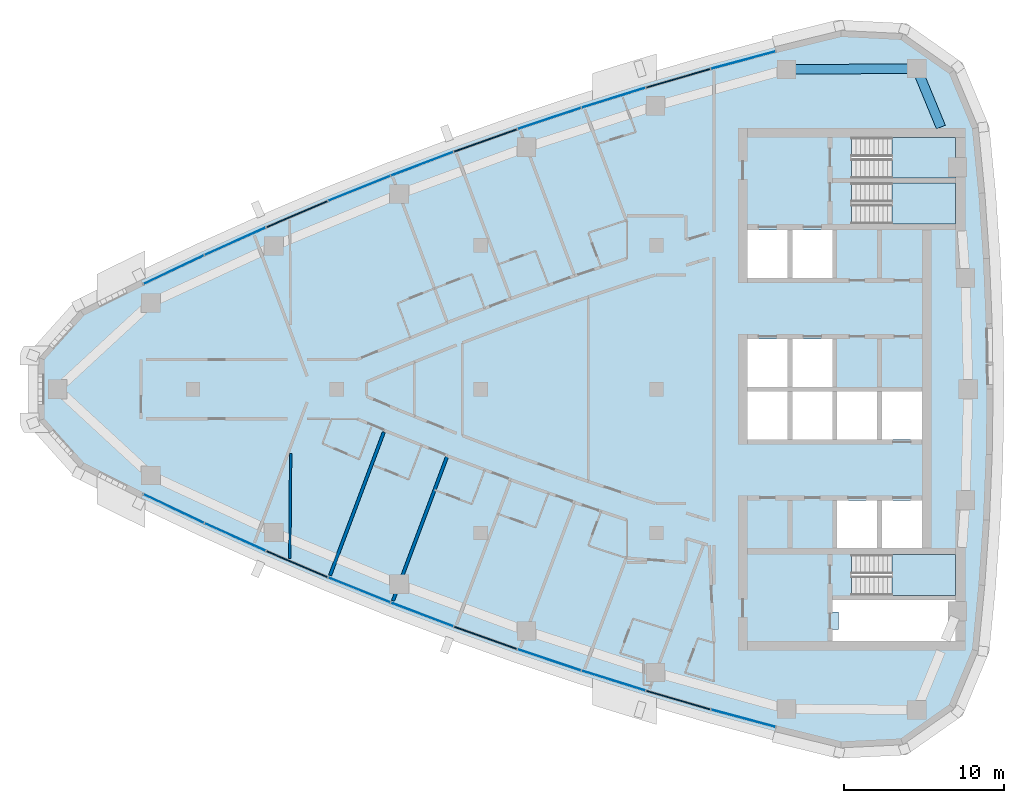
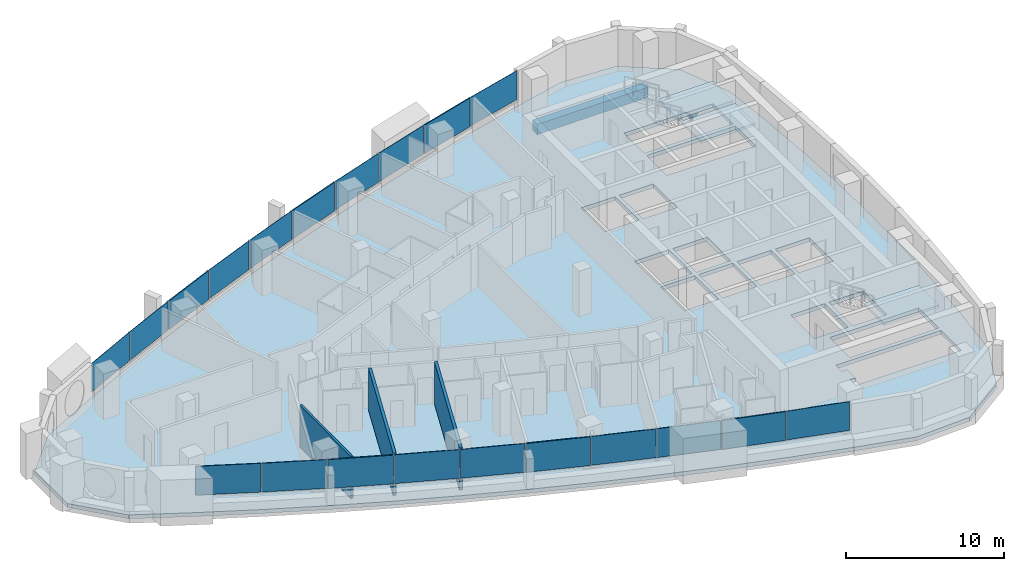
# One storey, part 7 of 16: 20 plates, 4 slabs, 3 walls, 2 beams, 1 opening, 13 elements without a shape of their own.
"""IFC4 building model written with IfcOpenShell, lengths in metres."""

from ifc_helpers import new_model, si_unit, direction, frame, frame_2d, origin, origin_2d, place, context, subcontext, project, spatial, polyline, rectangle, outline, extrude, material, layer, layer_set, material_profile, profile_set, type_object, element, aggregate, save


model = new_model("IFC4")

# Units and contexts
model_context = context("Model", 3, precision=1e-05, world=origin(), true_north=direction((0.0, 1.0)))
body_context = subcontext(model_context, "Body", "Model", "MODEL_VIEW")
ifc_project = project(units=[si_unit("LENGTHUNIT", "METRE"), si_unit("AREAUNIT", "SQUARE_METRE"), si_unit("VOLUMEUNIT", "CUBIC_METRE"), si_unit("PLANEANGLEUNIT", "RADIAN"), si_unit("MASSUNIT", "GRAM", prefix="KILO")], contexts=[model_context])

# Site, building, storey
site_placement = place(None, origin())
site = spatial("IfcSite", under=ifc_project, at=site_placement, CompositionType="ELEMENT")
building_placement = place(site_placement, origin())
building = spatial("IfcBuilding", under=site, at=building_placement, Name="Ostrand Prow Hotel Tower", CompositionType="ELEMENT")
storey_placement = place(building_placement, frame((0.0, 0.0, 249.199951171875)))
storey = spatial("IfcBuildingStorey", under=building, at=storey_placement, Name="L63", CompositionType="ELEMENT", Elevation=249.199951171875)

# Beams
ifc_material_1 = material(Name="Concrete C50/60", Category="concrete")
ifc_material_profile = material_profile(ifc_material_1, rectangle(XDim=0.60009765625, YDim=0.800048828125, at=origin_2d()), Name="RC 600x800")
ifc_profile_set = profile_set([ifc_material_profile], Name="Concrete C50/60")
beam_type = type_object("IfcBeamType", Name="Edge beam 600x800 C50/60", PredefinedType="SPANDREL", material=ifc_profile_set)
beam_1_placement = place(storey_placement, frame((62.7919921875, 16.39990234375, -0.699951171875), z_axis=(-0.380777709221, 0.924666608114, 0.0), x_axis=(-0.924666608114, -0.380777709221, 0.0)))
element("IfcBeam", 1, at=beam_1_placement, inside=storey, type_object=beam_type, Name="Edge beam B5-NE", PredefinedType="SPANDREL", context=body_context, shape_type="SweptSolid", body=[
    extrude(rectangle(XDim=0.60009765625, YDim=0.800048828125, at=origin_2d()), origin(), (0.0, 0.0, 1.0), 3.96044921875),
])
beam_2_placement = place(storey_placement, frame((61.283935546875, 20.06201171875, -0.699951171875), z_axis=(-0.999970657582, -0.007660546678, 0.0), x_axis=(0.007660546678, -0.999970657582, 0.0)))
element("IfcBeam", 2, at=beam_2_placement, inside=storey, type_object=beam_type, Name="Edge beam NE-N1", PredefinedType="SPANDREL", context=body_context, shape_type="SweptSolid", body=[
    extrude(rectangle(XDim=0.60009765625, YDim=0.800048828125, at=origin_2d()), origin(), (0.0, 0.0, 1.0), 8.15869140625),
])

# Curtain wall, plates
ifc_material_2 = material(Name="Insulated glass in bronze anodised frame", Category="glass")
ifc_layer_1 = layer(ifc_material_2, 0.199951171875)
ifc_layer_set_1 = layer_set([ifc_layer_1], Name="Insulated glass in bronze anodised frame")
curtain_wall_type = type_object("IfcCurtainWallType", Name="Strip curtain wall, fritted glass over bronze spandrel", PredefinedType="NOTDEFINED", material=ifc_layer_set_1)
curtain_wall_1_placement = place(storey_placement, origin())
curtain_wall_1 = element("IfcCurtainWall", 3, at=curtain_wall_1_placement, inside=storey, type_object=curtain_wall_type, Name="CW1 run CWS1", PredefinedType="NOTDEFINED")
ifc_material_3 = material(Name="Ceramic-fritted glass", Category="glass")
ifc_layer_2 = layer(ifc_material_3, 0.031982421875)
ifc_layer_set_2 = layer_set([ifc_layer_2], Name="Ceramic-fritted glass")
plate_type_1 = type_object("IfcPlateType", Name="Dot-fritted ceramic glass unit 32 mm", PredefinedType="CURTAIN_PANEL", material=ifc_layer_set_2)
plate_1_placement = place(storey_placement, frame((14.801025390625, -7.4765625, 1.02001953125), z_axis=(0.0, 0.0, 1.0), x_axis=(0.903370475577, -0.428861030937, 0.0)))
plate_1 = element("IfcPlate", 4, at=plate_1_placement, type_object=plate_type_1, Name="CW1 PN-D panel 1.2", PredefinedType="CURTAIN_PANEL", context=body_context, shape_type="SweptSolid", body=[
    extrude(rectangle(XDim=4.163818359375, YDim=0.031982421875, at=origin_2d()), origin(), (0.0, 0.0, 1.0), 2.22998046875),
])
plate_2_placement = place(storey_placement, frame((18.634521484375, -9.249267578125, 1.02001953125), z_axis=(0.0, 0.0, 1.0), x_axis=(0.911823681514, -0.41058199404, 0.0)))
plate_2 = element("IfcPlate", 5, at=plate_2_placement, type_object=plate_type_1, Name="CW1 PN-D panel 2.2", PredefinedType="CURTAIN_PANEL", context=body_context, shape_type="SweptSolid", body=[
    extrude(rectangle(XDim=4.163818359375, YDim=0.031982421875, at=origin_2d()), origin(), (0.0, 0.0, 1.0), 2.22998046875),
])
aggregate(curtain_wall_1, [plate_1, plate_2])

# Curtain wall, plate
curtain_wall_2_placement = place(storey_placement, origin())
curtain_wall_2 = element("IfcCurtainWall", 6, at=curtain_wall_2_placement, inside=storey, type_object=curtain_wall_type, Name="CW1 run CWS2", PredefinedType="NOTDEFINED")
plate_3_placement = place(storey_placement, frame((26.404541015625, -12.5615234375, 1.02001953125), z_axis=(0.0, 0.0, 1.0), x_axis=(0.927616710972, -0.373533449004, 0.0)))
plate_3 = element("IfcPlate", 7, at=plate_3_placement, type_object=plate_type_1, Name="CW1 PN-D panel 2.2", PredefinedType="CURTAIN_PANEL", context=body_context, shape_type="SweptSolid", body=[
    extrude(rectangle(XDim=4.163818359375, YDim=0.031982421875, at=origin_2d()), origin(), (0.0, 0.0, 1.0), 2.22998046875),
])

curtain_wall_3_placement = place(storey_placement, origin())
curtain_wall_3 = element("IfcCurtainWall", 8, at=curtain_wall_3_placement, inside=storey, type_object=curtain_wall_type, Name="CW1 run CWS3", PredefinedType="NOTDEFINED")
plate_4_placement = place(storey_placement, frame((30.337890625, -14.099609375, 1.02001953125), z_axis=(0.0, 0.0, 1.0), x_axis=(0.934950813567, -0.354777361469, 0.0)))
plate_4 = element("IfcPlate", 9, at=plate_4_placement, type_object=plate_type_1, Name="CW1 PN-D panel 1.2", PredefinedType="CURTAIN_PANEL", context=body_context, shape_type="SweptSolid", body=[
    extrude(rectangle(XDim=4.163818359375, YDim=0.031982421875, at=origin_2d()), origin(), (0.0, 0.0, 1.0), 2.22998046875),
])

# Curtain wall, plates
curtain_wall_4_placement = place(storey_placement, origin())
curtain_wall_4 = element("IfcCurtainWall", 10, at=curtain_wall_4_placement, inside=storey, type_object=curtain_wall_type, Name="CW1 run CWS4", PredefinedType="NOTDEFINED")
plate_5_placement = place(storey_placement, frame((38.2939453125, -16.9365234375, 1.02001953125), z_axis=(0.0, 0.0, 1.0), x_axis=(0.948478606268, -0.31684118017, 0.0)))
plate_5 = element("IfcPlate", 11, at=plate_5_placement, type_object=plate_type_1, Name="CW1 PN-D panel 1.2", PredefinedType="CURTAIN_PANEL", context=body_context, shape_type="SweptSolid", body=[
    extrude(rectangle(XDim=4.163818359375, YDim=0.031982421875, at=origin_2d()), origin(), (0.0, 0.0, 1.0), 2.22998046875),
])
plate_6_placement = place(storey_placement, frame((42.31298828125, -18.234375, 1.02001953125), z_axis=(0.0, 0.0, 1.0), x_axis=(0.95466629023, -0.297678138765, 0.0)))
plate_6 = element("IfcPlate", 12, at=plate_6_placement, type_object=plate_type_1, Name="CW1 PN-D panel 2.2", PredefinedType="CURTAIN_PANEL", context=body_context, shape_type="SweptSolid", body=[
    extrude(rectangle(XDim=4.163818359375, YDim=0.031982421875, at=origin_2d()), origin(), (0.0, 0.0, 1.0), 2.22998046875),
])
aggregate(curtain_wall_4, [plate_5, plate_6])

# Curtain wall, plate
curtain_wall_5_placement = place(storey_placement, origin())
curtain_wall_5 = element("IfcCurtainWall", 13, at=curtain_wall_5_placement, inside=storey, type_object=curtain_wall_type, Name="CW1 run CWS5", PredefinedType="NOTDEFINED")
plate_7_placement = place(storey_placement, frame((50.42578125, -20.5859375, 1.02001953125), z_axis=(0.0, 0.0, 1.0), x_axis=(0.965878831034, -0.258994370132, 0.0)))
plate_7 = element("IfcPlate", 14, at=plate_7_placement, type_object=plate_type_1, Name="CW1 PN-D panel 2.2", PredefinedType="CURTAIN_PANEL", context=body_context, shape_type="SweptSolid", body=[
    extrude(rectangle(XDim=4.163818359375, YDim=0.031982421875, at=origin_2d()), origin(), (0.0, 0.0, 1.0), 2.22998046875),
])

curtain_wall_6_placement = place(storey_placement, origin())
curtain_wall_6 = element("IfcCurtainWall", 15, at=curtain_wall_6_placement, inside=storey, type_object=curtain_wall_type, Name="CW1 run CWN1", PredefinedType="NOTDEFINED")
plate_8_placement = place(storey_placement, frame((50.42578125, 20.5859375, 1.02001953125), z_axis=(0.0, 0.0, 1.0), x_axis=(-0.965878831034, -0.258994370132, 0.0)))
plate_8 = element("IfcPlate", 16, at=plate_8_placement, type_object=plate_type_1, Name="CW1 PN-D panel 1.2", PredefinedType="CURTAIN_PANEL", context=body_context, shape_type="SweptSolid", body=[
    extrude(rectangle(XDim=4.163818359375, YDim=0.031982421875, at=origin_2d()), origin(), (0.0, 0.0, 1.0), 2.22998046875),
])

# Curtain wall, plates
curtain_wall_7_placement = place(storey_placement, origin())
curtain_wall_7 = element("IfcCurtainWall", 17, at=curtain_wall_7_placement, inside=storey, type_object=curtain_wall_type, Name="CW1 run CWN2", PredefinedType="NOTDEFINED")
plate_9_placement = place(storey_placement, frame((42.31298828125, 18.234375, 1.02001953125), z_axis=(0.0, 0.0, 1.0), x_axis=(-0.95466629023, -0.297678138765, 0.0)))
plate_9 = element("IfcPlate", 18, at=plate_9_placement, type_object=plate_type_1, Name="CW1 PN-D panel 1.2", PredefinedType="CURTAIN_PANEL", context=body_context, shape_type="SweptSolid", body=[
    extrude(rectangle(XDim=4.163818359375, YDim=0.031982421875, at=origin_2d()), origin(), (0.0, 0.0, 1.0), 2.22998046875),
])
plate_10_placement = place(storey_placement, frame((38.2939453125, 16.9365234375, 1.02001953125), z_axis=(0.0, 0.0, 1.0), x_axis=(-0.948478606268, -0.31684118017, 0.0)))
plate_10 = element("IfcPlate", 19, at=plate_10_placement, type_object=plate_type_1, Name="CW1 PN-D panel 2.2", PredefinedType="CURTAIN_PANEL", context=body_context, shape_type="SweptSolid", body=[
    extrude(rectangle(XDim=4.163818359375, YDim=0.031982421875, at=origin_2d()), origin(), (0.0, 0.0, 1.0), 2.22998046875),
])
aggregate(curtain_wall_7, [plate_9, plate_10])

# Curtain wall, plate
curtain_wall_8_placement = place(storey_placement, origin())
curtain_wall_8 = element("IfcCurtainWall", 20, at=curtain_wall_8_placement, inside=storey, type_object=curtain_wall_type, Name="CW1 run CWN3", PredefinedType="NOTDEFINED")
plate_11_placement = place(storey_placement, frame((30.337890625, 14.099609375, 1.02001953125), z_axis=(0.0, 0.0, 1.0), x_axis=(-0.934950813567, -0.354777361469, 0.0)))
plate_11 = element("IfcPlate", 21, at=plate_11_placement, type_object=plate_type_1, Name="CW1 PN-D panel 2.2", PredefinedType="CURTAIN_PANEL", context=body_context, shape_type="SweptSolid", body=[
    extrude(rectangle(XDim=4.163818359375, YDim=0.031982421875, at=origin_2d()), origin(), (0.0, 0.0, 1.0), 2.22998046875),
])

curtain_wall_9_placement = place(storey_placement, origin())
curtain_wall_9 = element("IfcCurtainWall", 22, at=curtain_wall_9_placement, inside=storey, type_object=curtain_wall_type, Name="CW1 run CWN4", PredefinedType="NOTDEFINED")
plate_12_placement = place(storey_placement, frame((26.404541015625, 12.5615234375, 1.02001953125), z_axis=(0.0, 0.0, 1.0), x_axis=(-0.927616710972, -0.373533449004, 0.0)))
plate_12 = element("IfcPlate", 23, at=plate_12_placement, type_object=plate_type_1, Name="CW1 PN-D panel 1.2", PredefinedType="CURTAIN_PANEL", context=body_context, shape_type="SweptSolid", body=[
    extrude(rectangle(XDim=4.163818359375, YDim=0.031982421875, at=origin_2d()), origin(), (0.0, 0.0, 1.0), 2.22998046875),
])

# Curtain wall, plates
curtain_wall_10_placement = place(storey_placement, origin())
curtain_wall_10 = element("IfcCurtainWall", 24, at=curtain_wall_10_placement, inside=storey, type_object=curtain_wall_type, Name="CW1 run CWN5", PredefinedType="NOTDEFINED")
plate_13_placement = place(storey_placement, frame((18.634521484375, 9.249267578125, 1.02001953125), z_axis=(0.0, 0.0, 1.0), x_axis=(-0.911823681514, -0.41058199404, 0.0)))
plate_13 = element("IfcPlate", 25, at=plate_13_placement, type_object=plate_type_1, Name="CW1 PN-D panel 1.2", PredefinedType="CURTAIN_PANEL", context=body_context, shape_type="SweptSolid", body=[
    extrude(rectangle(XDim=4.163818359375, YDim=0.031982421875, at=origin_2d()), origin(), (0.0, 0.0, 1.0), 2.22998046875),
])
plate_14_placement = place(storey_placement, frame((14.801025390625, 7.4765625, 1.02001953125), z_axis=(0.0, 0.0, 1.0), x_axis=(-0.903370475577, -0.428861030937, 0.0)))
plate_14 = element("IfcPlate", 26, at=plate_14_placement, type_object=plate_type_1, Name="CW1 PN-D panel 2.2", PredefinedType="CURTAIN_PANEL", context=body_context, shape_type="SweptSolid", body=[
    extrude(rectangle(XDim=4.163818359375, YDim=0.031982421875, at=origin_2d()), origin(), (0.0, 0.0, 1.0), 2.22998046875),
])
aggregate(curtain_wall_10, [plate_13, plate_14])

# Plate
ifc_material_4 = material(Name="Fritted glass in bronze vent frame", Category="glass")
ifc_layer_3 = layer(ifc_material_4, 0.080078125)
ifc_layer_set_3 = layer_set([ifc_layer_3], Name="Fritted glass in bronze vent frame")
plate_type_2 = type_object("IfcPlateType", Name="Operable vent panel 80 mm", PredefinedType="CURTAIN_PANEL", material=ifc_layer_set_3)
plate_15_placement = place(storey_placement, frame((22.502685546875, -10.944580078125, 1.02001953125), z_axis=(0.0, 0.0, 1.0), x_axis=(0.919907070112, -0.392136433347, 0.0)))
plate_15 = element("IfcPlate", 27, at=plate_15_placement, type_object=plate_type_2, Name="CW1 PN-O2 panel 1.2", PredefinedType="CURTAIN_PANEL", context=body_context, shape_type="SweptSolid", body=[
    extrude(rectangle(XDim=4.163818359375, YDim=0.080078125, at=origin_2d()), origin(), (0.0, 0.0, 1.0), 2.22998046875),
])

aggregate(curtain_wall_2, [plate_15, plate_3])

plate_16_placement = place(storey_placement, frame((34.3017578125, -15.55810546875, 1.02001953125), z_axis=(0.0, 0.0, 1.0), x_axis=(0.941905718922, -0.335877383374, 0.0)))
plate_16 = element("IfcPlate", 28, at=plate_16_placement, type_object=plate_type_2, Name="CW1 PN-O2 panel 2.2", PredefinedType="CURTAIN_PANEL", context=body_context, shape_type="SweptSolid", body=[
    extrude(rectangle(XDim=4.163818359375, YDim=0.080078125, at=origin_2d()), origin(), (0.0, 0.0, 1.0), 2.22998046875),
])

aggregate(curtain_wall_3, [plate_4, plate_16])

plate_17_placement = place(storey_placement, frame((46.357666015625, -19.450927734375, 1.02001953125), z_axis=(0.0, 0.0, 1.0), x_axis=(0.960467333745, -0.27839270969, 0.0)))
plate_17 = element("IfcPlate", 29, at=plate_17_placement, type_object=plate_type_2, Name="CW1 PN-O2 panel 1.2", PredefinedType="CURTAIN_PANEL", context=body_context, shape_type="SweptSolid", body=[
    extrude(rectangle(XDim=4.163818359375, YDim=0.080078125, at=origin_2d()), origin(), (0.0, 0.0, 1.0), 2.22998046875),
])

aggregate(curtain_wall_5, [plate_17, plate_7])

plate_18_placement = place(storey_placement, frame((46.357666015625, 19.450927734375, 1.02001953125), z_axis=(0.0, 0.0, 1.0), x_axis=(-0.960467333745, -0.27839270969, 0.0)))
plate_18 = element("IfcPlate", 30, at=plate_18_placement, type_object=plate_type_2, Name="CW1 PN-O2 panel 2.2", PredefinedType="CURTAIN_PANEL", context=body_context, shape_type="SweptSolid", body=[
    extrude(rectangle(XDim=4.163818359375, YDim=0.080078125, at=origin_2d()), origin(), (0.0, 0.0, 1.0), 2.22998046875),
])

aggregate(curtain_wall_6, [plate_8, plate_18])

plate_19_placement = place(storey_placement, frame((34.3017578125, 15.55810546875, 1.02001953125), z_axis=(0.0, 0.0, 1.0), x_axis=(-0.941905718922, -0.335877383374, 0.0)))
plate_19 = element("IfcPlate", 31, at=plate_19_placement, type_object=plate_type_2, Name="CW1 PN-O2 panel 1.2", PredefinedType="CURTAIN_PANEL", context=body_context, shape_type="SweptSolid", body=[
    extrude(rectangle(XDim=4.163818359375, YDim=0.080078125, at=origin_2d()), origin(), (0.0, 0.0, 1.0), 2.22998046875),
])

aggregate(curtain_wall_8, [plate_19, plate_11])

plate_20_placement = place(storey_placement, frame((22.502685546875, 10.944580078125, 1.02001953125), z_axis=(0.0, 0.0, 1.0), x_axis=(-0.919907070112, -0.392136433347, 0.0)))
plate_20 = element("IfcPlate", 32, at=plate_20_placement, type_object=plate_type_2, Name="CW1 PN-O2 panel 2.2", PredefinedType="CURTAIN_PANEL", context=body_context, shape_type="SweptSolid", body=[
    extrude(rectangle(XDim=4.163818359375, YDim=0.080078125, at=origin_2d()), origin(), (0.0, 0.0, 1.0), 2.22998046875),
])

aggregate(curtain_wall_9, [plate_12, plate_20])

# Slab, opening
ifc_material_5 = material(Name="Concrete C40/50", Category="concrete")
ifc_layer_4 = layer(ifc_material_5, 0.300048828125)
ifc_layer_set_4 = layer_set([ifc_layer_4], Name="Concrete C40/50")
slab_type_1 = type_object("IfcSlabType", Name="PT flat plate 300 C40/50", PredefinedType="FLOOR", material=ifc_layer_set_4)
slab_1_placement = place(storey_placement, frame((0.0, 0.0, -0.300048828125)))
slab_1 = element("IfcSlab", 33, at=slab_1_placement, inside=storey, type_object=slab_type_1, Name="Floor slab L63-1", PredefinedType="FLOOR", context=body_context, shape_type="SweptSolid", body=[
    extrude(outline(polyline([(8.85205078125, 5.097412109375), (12.679443359375, 7.009765625), (16.50390625, 8.825439453125), (20.364013671875, 10.563720703125), (24.258544921875, 12.223876953125), (28.185791015625, 13.80517578125), (32.143798828125, 15.30712890625), (36.131591796875, 16.72900390625), (40.14697265625, 18.0703125), (44.188720703125, 19.330810546875), (48.2548828125, 20.50927734375), (52.343994140625, 21.605712890625), (56.4873046875, 22.627685546875), (60.48193359375, 22.4287109375), (63.7822265625, 20.107177734375), (65.320068359375, 16.414794921875), (65.728515625, 12.29736328125), (66.018310546875, 8.20361328125), (66.19189453125, 4.103515625), (66.25, 0.0), (66.19189453125, -4.103515625), (66.018310546875, -8.20361328125), (65.728515625, -12.29736328125), (65.320068359375, -16.414794921875), (63.7822265625, -20.107177734375), (60.48193359375, -22.4287109375), (56.4873046875, -22.627685546875), (52.343994140625, -21.605712890625), (48.2548828125, -20.50927734375), (44.188720703125, -19.330810546875), (40.14697265625, -18.0703125), (36.131591796875, -16.72900390625), (32.143798828125, -15.30712890625), (28.185791015625, -13.80517578125), (24.258544921875, -12.223876953125), (20.364013671875, -10.563720703125), (16.50390625, -8.825439453125), (12.679443359375, -7.009765625), (8.85205078125, -5.097412109375), (6.127685546875, -2.06298828125), (6.127685546875, 2.06298828125), (8.85205078125, 5.097412109375)]), holes=[polyline([(50.699951171875, 6.949951171875), (53.199951171875, 6.949951171875), (53.199951171875, 9.949951171875), (50.699951171875, 9.949951171875), (50.699951171875, 6.949951171875)]), polyline([(53.5, 6.949951171875), (56.0, 6.949951171875), (56.0, 9.949951171875), (53.5, 9.949951171875), (53.5, 6.949951171875)]), polyline([(50.699951171875, 0.14990234375), (53.199951171875, 0.14990234375), (53.199951171875, 3.14990234375), (50.699951171875, 3.14990234375), (50.699951171875, 0.14990234375)]), polyline([(53.5, 0.14990234375), (56.0, 0.14990234375), (56.0, 3.14990234375), (53.5, 3.14990234375), (53.5, 0.14990234375)]), polyline([(50.699951171875, -3.14990234375), (53.199951171875, -3.14990234375), (53.199951171875, -0.14990234375), (50.699951171875, -0.14990234375), (50.699951171875, -3.14990234375)]), polyline([(53.5, -3.14990234375), (56.0, -3.14990234375), (56.0, -0.14990234375), (53.5, -0.14990234375), (53.5, -3.14990234375)]), polyline([(56.300048828125, -3.14990234375), (58.800048828125, -3.14990234375), (58.800048828125, -0.14990234375), (56.300048828125, -0.14990234375), (56.300048828125, -3.14990234375)]), polyline([(59.10009765625, -3.14990234375), (61.60009765625, -3.14990234375), (61.60009765625, -0.14990234375), (59.10009765625, -0.14990234375), (59.10009765625, -3.14990234375)]), polyline([(56.300048828125, -9.949951171875), (58.800048828125, -9.949951171875), (58.800048828125, -6.949951171875), (56.300048828125, -6.949951171875), (56.300048828125, -9.949951171875)]), polyline([(59.10009765625, -9.949951171875), (61.60009765625, -9.949951171875), (61.60009765625, -6.949951171875), (59.10009765625, -6.949951171875), (59.10009765625, -9.949951171875)]), polyline([(57.200927734375, 10.35107421875), (57.200927734375, 12.89892578125), (63.718994140625, 12.89892578125), (63.718994140625, 10.35107421875), (57.200927734375, 10.35107421875)]), polyline([(57.200927734375, 13.200927734375), (57.200927734375, 15.7490234375), (63.718994140625, 15.7490234375), (63.718994140625, 13.200927734375), (57.200927734375, 13.200927734375)]), polyline([(57.200927734375, -12.89892578125), (57.200927734375, -10.35107421875), (63.718994140625, -10.35107421875), (63.718994140625, -12.89892578125), (57.200927734375, -12.89892578125)]), polyline([(56.0, -13.949951171875), (56.0, -13.199951171875), (63.719970703125, -13.199951171875), (63.719970703125, -15.75), (56.0, -15.75), (56.0, -15.050048828125), (56.39990234375, -15.050048828125), (56.39990234375, -13.949951171875), (56.0, -13.949951171875)])]), origin(), (0.0, 0.0, 1.0), 0.300048828125),
])
opening_placement = place(slab_1_placement, origin())
element("IfcOpeningElement", 34, at=opening_placement, cuts=slab_1, Name="Shaft opening 1", PredefinedType="OPENING", context=body_context, shape_type="SweptSolid", body=[
    extrude(outline(polyline([(56.0, -13.949951171875), (56.0, -13.199951171875), (63.719970703125, -13.199951171875), (63.719970703125, -15.75), (56.0, -15.75), (56.0, -15.050048828125), (56.39990234375, -15.050048828125), (56.39990234375, -13.949951171875), (56.0, -13.949951171875)])), origin(), (0.0, 0.0, 1.0), 0.300048828125),
])

# Stair, slab
ifc_material_6 = material(Name="Concrete C40/50", Category="concrete")
stair_type = type_object("IfcStairType", Name="Exit stair 1200 upper zone", PredefinedType="HALF_TURN_STAIR", material=ifc_material_6)
stair_1_placement = place(storey_placement, origin())
stair_1 = element("IfcStair", 35, at=stair_1_placement, inside=storey, type_object=stair_type, Name="L63 ST1C", PredefinedType="HALF_TURN_STAIR")
ifc_material_7 = material(Name="Concrete C40/50", Category="concrete")
ifc_layer_5 = layer(ifc_material_7, 0.199951171875)
ifc_layer_set_5 = layer_set([ifc_layer_5], Name="Concrete C40/50")
slab_type_2 = type_object("IfcSlabType", Name="Stair landing 200 concrete", PredefinedType="LANDING", material=ifc_layer_set_5)
slab_2_placement = place(storey_placement, frame((0.0, 0.0, 1.574951171875)))
slab_2 = element("IfcSlab", 36, at=slab_2_placement, type_object=slab_type_2, Name="ST1C landing 1", PredefinedType="LANDING", context=body_context, shape_type="SweptSolid", body=[
    extrude(outline(polyline([(59.719970703125, 10.35009765625), (63.719970703125, 10.35009765625), (63.719970703125, 12.89990234375), (59.719970703125, 12.89990234375), (59.719970703125, 10.35009765625)])), origin(), (0.0, 0.0, 1.0), 0.2001953125),
])
aggregate(stair_1, [slab_2])

stair_2_placement = place(storey_placement, origin())
stair_2 = element("IfcStair", 37, at=stair_2_placement, inside=storey, type_object=stair_type, Name="L63 ST3C", PredefinedType="HALF_TURN_STAIR")
slab_3_placement = place(storey_placement, frame((0.0, 0.0, 1.574951171875)))
slab_3 = element("IfcSlab", 38, at=slab_3_placement, type_object=slab_type_2, Name="ST3C landing 1", PredefinedType="LANDING", context=body_context, shape_type="SweptSolid", body=[
    extrude(outline(polyline([(59.719970703125, 13.199951171875), (63.719970703125, 13.199951171875), (63.719970703125, 15.75), (59.719970703125, 15.75), (59.719970703125, 13.199951171875)])), origin(), (0.0, 0.0, 1.0), 0.2001953125),
])
aggregate(stair_2, [slab_3])

stair_3_placement = place(storey_placement, origin())
stair_3 = element("IfcStair", 39, at=stair_3_placement, inside=storey, type_object=stair_type, Name="L63 ST2C", PredefinedType="HALF_TURN_STAIR")
slab_4_placement = place(storey_placement, frame((0.0, 0.0, 1.574951171875)))
slab_4 = element("IfcSlab", 40, at=slab_4_placement, type_object=slab_type_2, Name="ST2C landing 1", PredefinedType="LANDING", context=body_context, shape_type="SweptSolid", body=[
    extrude(outline(polyline([(59.719970703125, -12.89990234375), (63.719970703125, -12.89990234375), (63.719970703125, -10.35009765625), (59.719970703125, -10.35009765625), (59.719970703125, -12.89990234375)])), origin(), (0.0, 0.0, 1.0), 0.2001953125),
])
aggregate(stair_3, [slab_4])

# Walls
ifc_material_8 = material(Name="Plasterboard partition")
ifc_layer_6 = layer(ifc_material_8, 0.14990234375)
ifc_layer_set_6 = layer_set([ifc_layer_6], Name="Plasterboard partition")
wall_type_1 = type_object("IfcWallType", Name="Partition 150 room partition", PredefinedType="PARTITIONING", material=ifc_layer_set_6)
wall_1_placement = place(storey_placement, frame((22.1123046875, -4.022705078125, 0.0), z_axis=(0.0, 0.0, 1.0), x_axis=(-0.008379594055, -0.999964890585, 0.0)))
element("IfcWall", 41, at=wall_1_placement, inside=storey, type_object=wall_type_1, Name="ROOM PARTITION", PredefinedType="PARTITIONING", context=body_context, shape_type="SweptSolid", body=[
    extrude(rectangle(XDim=6.555419921875, YDim=0.14990234375, at=frame_2d((3.27783203125, 0.0))), origin(), (0.0, 0.0, 1.0), 3.25),
])
ifc_material_9 = material(Name="Plasterboard partition")
ifc_layer_7 = layer(ifc_material_9, 0.199951171875)
ifc_layer_set_7 = layer_set([ifc_layer_7], Name="Plasterboard partition")
wall_type_2 = type_object("IfcWallType", Name="Partition 200 key partition", PredefinedType="PARTITIONING", material=ifc_layer_set_7)
wall_2_placement = place(storey_placement, frame((24.577880859375, -11.651611328125, 0.0), z_axis=(0.0, 0.0, 1.0), x_axis=(0.351140219871, 0.936322885542, 0.0)))
element("IfcWall", 42, at=wall_2_placement, inside=storey, type_object=wall_type_2, Name="KEY PARTITION", PredefinedType="PARTITIONING", context=body_context, shape_type="SweptSolid", body=[
    extrude(rectangle(XDim=9.567626953125, YDim=0.199951171875, at=frame_2d((4.78369140625, 0.0))), origin(), (0.0, 0.0, 1.0), 3.25),
])
wall_3_placement = place(storey_placement, frame((28.51416015625, -13.234619140625, 0.0), z_axis=(0.0, 0.0, 1.0), x_axis=(0.351126199585, 0.936328143316, 0.0)))
element("IfcWall", 43, at=wall_3_placement, inside=storey, type_object=wall_type_2, Name="KEY PARTITION", PredefinedType="PARTITIONING", context=body_context, shape_type="SweptSolid", body=[
    extrude(rectangle(XDim=9.700927734375, YDim=0.199951171875, at=frame_2d((4.8505859375, 0.0))), origin(), (0.0, 0.0, 1.0), 3.25),
])

save(model, "model.ifc")
